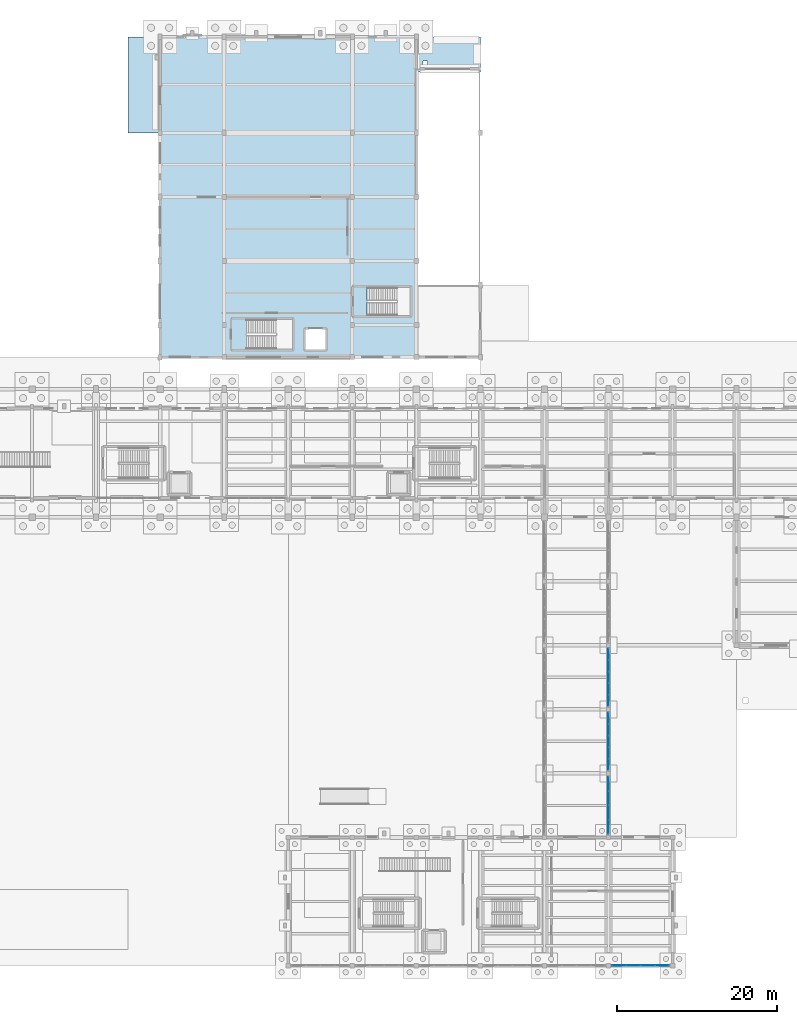
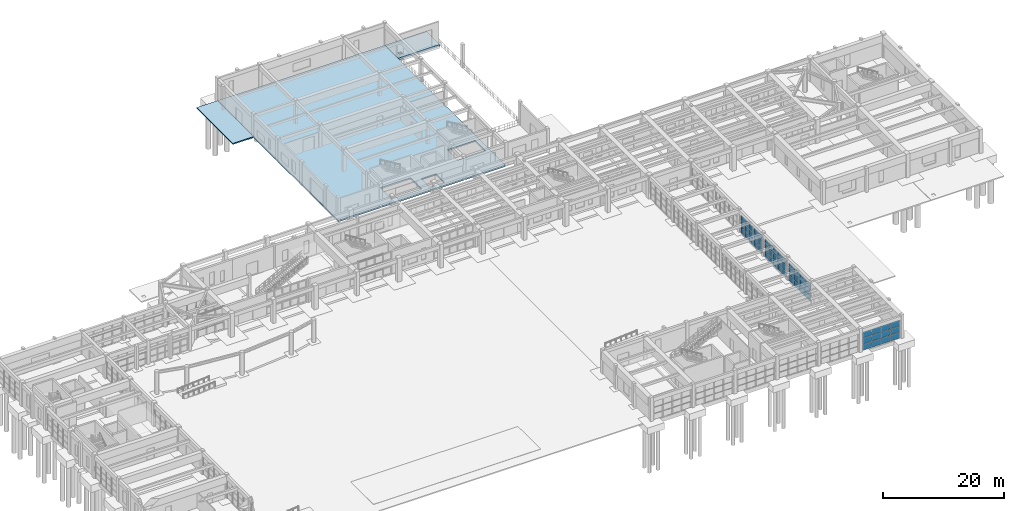
# One storey, part 41 of 68: 54 plates, 3 slabs, 4 elements without a shape of their own.
"""IFC4 building model written with IfcOpenShell, lengths in metres."""

from ifc_helpers import new_model, si_unit, direction, frame, origin, origin_2d, place, context, subcontext, project, spatial, polyline, rectangle, outline, extrude, material, layer, layer_set, type_object, element, aggregate, save


model = new_model("IFC4")

# Units and contexts
model_context = context("Model", 3, precision=1e-05, world=origin(), true_north=direction((0.0, 1.0)))
body_context = subcontext(model_context, "Body", "Model", "MODEL_VIEW")
ifc_project = project(units=[si_unit("LENGTHUNIT", "METRE"), si_unit("AREAUNIT", "SQUARE_METRE"), si_unit("VOLUMEUNIT", "CUBIC_METRE"), si_unit("PLANEANGLEUNIT", "RADIAN"), si_unit("MASSUNIT", "GRAM", prefix="KILO")], contexts=[model_context])

# Site, building, storey
site_placement = place(None, origin())
site = spatial("IfcSite", under=ifc_project, at=site_placement, CompositionType="ELEMENT")
building_placement = place(site_placement, origin())
building = spatial("IfcBuilding", under=site, at=building_placement, Name="Serraluz Foothill Cableway Terminal", CompositionType="ELEMENT")
storey_placement = place(building_placement, origin())
storey = spatial("IfcBuildingStorey", under=building, at=storey_placement, Name="L00", CompositionType="ELEMENT", Elevation=0.0)

# Curtain wall, plates
ifc_material_1 = material(Name="Architectural bronze alloy C28000", Category="aluminium")
curtain_wall_type_1 = type_object("IfcCurtainWallType", Name="TYP-CW-710X420", PredefinedType="NOTDEFINED", material=ifc_material_1)
curtain_wall_1_placement = place(storey_placement, origin())
curtain_wall_1 = element("IfcCurtainWall", 1, at=curtain_wall_1_placement, inside=storey, type_object=curtain_wall_type_1, Name="Ribbed Glazed Curtain Wall CW-CLE-L00-16", PredefinedType="NOTDEFINED")
ifc_material_2 = material(Name="Translucent ribbed laminated channel glass", Category="glass")
ifc_layer_1 = layer(ifc_material_2, 0.028076171875, Name="Translucent ribbed laminated channel glass", Category="glass")
ifc_layer_set_1 = layer_set([ifc_layer_1], Name="Translucent ribbed laminated channel glass")
plate_type_1 = type_object("IfcPlateType", Name="TYP-CW-PNL-28", PredefinedType="CURTAIN_PANEL", material=ifc_layer_set_1)
plate_1_placement = place(storey_placement, frame((128.0, 22.695556640625, 0.06005859375), z_axis=(0.0, 0.0, 1.0), x_axis=(0.0, -1.0, 0.0)))
plate_1 = element("IfcPlate", 2, at=plate_1_placement, type_object=plate_type_1, Name="CW-01 panel 1.1", PredefinedType="CURTAIN_PANEL", context=body_context, shape_type="SweptSolid", body=[
    extrude(rectangle(XDim=1.708740234375, YDim=0.028076171875, at=origin_2d()), origin(), (0.0, 0.0, 1.0), 1.163330078125),
])
plate_2_placement = place(storey_placement, frame((128.0, 22.695556640625, 1.283203125), z_axis=(0.0, 0.0, 1.0), x_axis=(0.0, -1.0, 0.0)))
plate_2 = element("IfcPlate", 3, at=plate_2_placement, type_object=plate_type_1, Name="CW-01 panel 1.2", PredefinedType="CURTAIN_PANEL", context=body_context, shape_type="SweptSolid", body=[
    extrude(rectangle(XDim=1.708740234375, YDim=0.028076171875, at=origin_2d()), origin(), (0.0, 0.0, 1.0), 1.193359375),
])
plate_3_placement = place(storey_placement, frame((128.0, 22.695556640625, 2.53662109375), z_axis=(0.0, 0.0, 1.0), x_axis=(0.0, -1.0, 0.0)))
plate_3 = element("IfcPlate", 4, at=plate_3_placement, type_object=plate_type_1, Name="CW-01 panel 1.3", PredefinedType="CURTAIN_PANEL", context=body_context, shape_type="SweptSolid", body=[
    extrude(rectangle(XDim=1.708740234375, YDim=0.028076171875, at=origin_2d()), origin(), (0.0, 0.0, 1.0), 1.163330078125),
])
plate_4_placement = place(storey_placement, frame((128.0, 20.911865234375, 0.06005859375), z_axis=(0.0, 0.0, 1.0), x_axis=(0.0, -1.0, 0.0)))
plate_4 = element("IfcPlate", 5, at=plate_4_placement, type_object=plate_type_1, Name="CW-01 panel 2.1", PredefinedType="CURTAIN_PANEL", context=body_context, shape_type="SweptSolid", body=[
    extrude(rectangle(XDim=1.73876953125, YDim=0.028076171875, at=origin_2d()), origin(), (0.0, 0.0, 1.0), 1.163330078125),
])
plate_5_placement = place(storey_placement, frame((128.0, 20.911865234375, 1.283203125), z_axis=(0.0, 0.0, 1.0), x_axis=(0.0, -1.0, 0.0)))
plate_5 = element("IfcPlate", 6, at=plate_5_placement, type_object=plate_type_1, Name="CW-01 panel 2.2", PredefinedType="CURTAIN_PANEL", context=body_context, shape_type="SweptSolid", body=[
    extrude(rectangle(XDim=1.73876953125, YDim=0.028076171875, at=origin_2d()), origin(), (0.0, 0.0, 1.0), 1.193359375),
])
plate_6_placement = place(storey_placement, frame((128.0, 20.911865234375, 2.53662109375), z_axis=(0.0, 0.0, 1.0), x_axis=(0.0, -1.0, 0.0)))
plate_6 = element("IfcPlate", 7, at=plate_6_placement, type_object=plate_type_1, Name="CW-01 panel 2.3", PredefinedType="CURTAIN_PANEL", context=body_context, shape_type="SweptSolid", body=[
    extrude(rectangle(XDim=1.73876953125, YDim=0.028076171875, at=origin_2d()), origin(), (0.0, 0.0, 1.0), 1.163330078125),
])
plate_7_placement = place(storey_placement, frame((128.0, 19.113037109375, 0.06005859375), z_axis=(0.0, 0.0, 1.0), x_axis=(0.0, -1.0, 0.0)))
plate_7 = element("IfcPlate", 8, at=plate_7_placement, type_object=plate_type_1, Name="CW-01 panel 3.1", PredefinedType="CURTAIN_PANEL", context=body_context, shape_type="SweptSolid", body=[
    extrude(rectangle(XDim=1.73876953125, YDim=0.028076171875, at=origin_2d()), origin(), (0.0, 0.0, 1.0), 1.163330078125),
])
plate_8_placement = place(storey_placement, frame((128.0, 19.113037109375, 1.283203125), z_axis=(0.0, 0.0, 1.0), x_axis=(0.0, -1.0, 0.0)))
plate_8 = element("IfcPlate", 9, at=plate_8_placement, type_object=plate_type_1, Name="CW-01 panel 3.2", PredefinedType="CURTAIN_PANEL", context=body_context, shape_type="SweptSolid", body=[
    extrude(rectangle(XDim=1.73876953125, YDim=0.028076171875, at=origin_2d()), origin(), (0.0, 0.0, 1.0), 1.193359375),
])
plate_9_placement = place(storey_placement, frame((128.0, 19.113037109375, 2.53662109375), z_axis=(0.0, 0.0, 1.0), x_axis=(0.0, -1.0, 0.0)))
plate_9 = element("IfcPlate", 10, at=plate_9_placement, type_object=plate_type_1, Name="CW-01 panel 3.3", PredefinedType="CURTAIN_PANEL", context=body_context, shape_type="SweptSolid", body=[
    extrude(rectangle(XDim=1.73876953125, YDim=0.028076171875, at=origin_2d()), origin(), (0.0, 0.0, 1.0), 1.163330078125),
])
plate_10_placement = place(storey_placement, frame((128.0, 17.329345703125, 0.06005859375), z_axis=(0.0, 0.0, 1.0), x_axis=(0.0, -1.0, 0.0)))
plate_10 = element("IfcPlate", 11, at=plate_10_placement, type_object=plate_type_1, Name="CW-01 panel 4.1", PredefinedType="CURTAIN_PANEL", context=body_context, shape_type="SweptSolid", body=[
    extrude(rectangle(XDim=1.708740234375, YDim=0.028076171875, at=origin_2d()), origin(), (0.0, 0.0, 1.0), 1.163330078125),
])
plate_11_placement = place(storey_placement, frame((128.0, 17.329345703125, 1.283203125), z_axis=(0.0, 0.0, 1.0), x_axis=(0.0, -1.0, 0.0)))
plate_11 = element("IfcPlate", 12, at=plate_11_placement, type_object=plate_type_1, Name="CW-01 panel 4.2", PredefinedType="CURTAIN_PANEL", context=body_context, shape_type="SweptSolid", body=[
    extrude(rectangle(XDim=1.708740234375, YDim=0.028076171875, at=origin_2d()), origin(), (0.0, 0.0, 1.0), 1.193359375),
])
plate_12_placement = place(storey_placement, frame((128.0, 17.329345703125, 2.53662109375), z_axis=(0.0, 0.0, 1.0), x_axis=(0.0, -1.0, 0.0)))
plate_12 = element("IfcPlate", 13, at=plate_12_placement, type_object=plate_type_1, Name="CW-01 panel 4.3", PredefinedType="CURTAIN_PANEL", context=body_context, shape_type="SweptSolid", body=[
    extrude(rectangle(XDim=1.708740234375, YDim=0.028076171875, at=origin_2d()), origin(), (0.0, 0.0, 1.0), 1.163330078125),
])
aggregate(curtain_wall_1, [plate_1, plate_2, plate_3, plate_4, plate_5, plate_6, plate_7, plate_8, plate_9, plate_10, plate_11, plate_12])

curtain_wall_2_placement = place(storey_placement, origin())
curtain_wall_2 = element("IfcCurtainWall", 14, at=curtain_wall_2_placement, inside=storey, type_object=curtain_wall_type_1, Name="Ribbed Glazed Curtain Wall CW-CLE-L00-24", PredefinedType="NOTDEFINED")
plate_13_placement = place(storey_placement, frame((128.0, 30.873046875, 0.06005859375), z_axis=(0.0, 0.0, 1.0), x_axis=(0.0, -1.0, 0.0)))
plate_13 = element("IfcPlate", 15, at=plate_13_placement, type_object=plate_type_1, Name="CW-01 panel 1.1", PredefinedType="CURTAIN_PANEL", context=body_context, shape_type="SweptSolid", body=[
    extrude(rectangle(XDim=1.35400390625, YDim=0.028076171875, at=origin_2d()), origin(), (0.0, 0.0, 1.0), 1.163330078125),
])
plate_14_placement = place(storey_placement, frame((128.0, 30.873046875, 1.283203125), z_axis=(0.0, 0.0, 1.0), x_axis=(0.0, -1.0, 0.0)))
plate_14 = element("IfcPlate", 16, at=plate_14_placement, type_object=plate_type_1, Name="CW-01 panel 1.2", PredefinedType="CURTAIN_PANEL", context=body_context, shape_type="SweptSolid", body=[
    extrude(rectangle(XDim=1.35400390625, YDim=0.028076171875, at=origin_2d()), origin(), (0.0, 0.0, 1.0), 1.193359375),
])
plate_15_placement = place(storey_placement, frame((128.0, 30.873046875, 2.53662109375), z_axis=(0.0, 0.0, 1.0), x_axis=(0.0, -1.0, 0.0)))
plate_15 = element("IfcPlate", 17, at=plate_15_placement, type_object=plate_type_1, Name="CW-01 panel 1.3", PredefinedType="CURTAIN_PANEL", context=body_context, shape_type="SweptSolid", body=[
    extrude(rectangle(XDim=1.35400390625, YDim=0.028076171875, at=origin_2d()), origin(), (0.0, 0.0, 1.0), 1.163330078125),
])
plate_16_placement = place(storey_placement, frame((128.0, 29.444091796875, 0.06005859375), z_axis=(0.0, 0.0, 1.0), x_axis=(0.0, -1.0, 0.0)))
plate_16 = element("IfcPlate", 18, at=plate_16_placement, type_object=plate_type_1, Name="CW-01 panel 2.1", PredefinedType="CURTAIN_PANEL", context=body_context, shape_type="SweptSolid", body=[
    extrude(rectangle(XDim=1.384033203125, YDim=0.028076171875, at=origin_2d()), origin(), (0.0, 0.0, 1.0), 1.163330078125),
])
plate_17_placement = place(storey_placement, frame((128.0, 29.444091796875, 1.283203125), z_axis=(0.0, 0.0, 1.0), x_axis=(0.0, -1.0, 0.0)))
plate_17 = element("IfcPlate", 19, at=plate_17_placement, type_object=plate_type_1, Name="CW-01 panel 2.2", PredefinedType="CURTAIN_PANEL", context=body_context, shape_type="SweptSolid", body=[
    extrude(rectangle(XDim=1.384033203125, YDim=0.028076171875, at=origin_2d()), origin(), (0.0, 0.0, 1.0), 1.193359375),
])
plate_18_placement = place(storey_placement, frame((128.0, 29.444091796875, 2.53662109375), z_axis=(0.0, 0.0, 1.0), x_axis=(0.0, -1.0, 0.0)))
plate_18 = element("IfcPlate", 20, at=plate_18_placement, type_object=plate_type_1, Name="CW-01 panel 2.3", PredefinedType="CURTAIN_PANEL", context=body_context, shape_type="SweptSolid", body=[
    extrude(rectangle(XDim=1.384033203125, YDim=0.028076171875, at=origin_2d()), origin(), (0.0, 0.0, 1.0), 1.163330078125),
])
plate_19_placement = place(storey_placement, frame((128.0, 28.0, 0.06005859375), z_axis=(0.0, 0.0, 1.0), x_axis=(0.0, -1.0, 0.0)))
plate_19 = element("IfcPlate", 21, at=plate_19_placement, type_object=plate_type_1, Name="CW-01 panel 3.1", PredefinedType="CURTAIN_PANEL", context=body_context, shape_type="SweptSolid", body=[
    extrude(rectangle(XDim=1.384033203125, YDim=0.028076171875, at=origin_2d()), origin(), (0.0, 0.0, 1.0), 1.163330078125),
])
plate_20_placement = place(storey_placement, frame((128.0, 28.0, 1.283203125), z_axis=(0.0, 0.0, 1.0), x_axis=(0.0, -1.0, 0.0)))
plate_20 = element("IfcPlate", 22, at=plate_20_placement, type_object=plate_type_1, Name="CW-01 panel 3.2", PredefinedType="CURTAIN_PANEL", context=body_context, shape_type="SweptSolid", body=[
    extrude(rectangle(XDim=1.384033203125, YDim=0.028076171875, at=origin_2d()), origin(), (0.0, 0.0, 1.0), 1.193359375),
])
plate_21_placement = place(storey_placement, frame((128.0, 28.0, 2.53662109375), z_axis=(0.0, 0.0, 1.0), x_axis=(0.0, -1.0, 0.0)))
plate_21 = element("IfcPlate", 23, at=plate_21_placement, type_object=plate_type_1, Name="CW-01 panel 3.3", PredefinedType="CURTAIN_PANEL", context=body_context, shape_type="SweptSolid", body=[
    extrude(rectangle(XDim=1.384033203125, YDim=0.028076171875, at=origin_2d()), origin(), (0.0, 0.0, 1.0), 1.163330078125),
])
plate_22_placement = place(storey_placement, frame((128.0, 26.555908203125, 0.06005859375), z_axis=(0.0, 0.0, 1.0), x_axis=(0.0, -1.0, 0.0)))
plate_22 = element("IfcPlate", 24, at=plate_22_placement, type_object=plate_type_1, Name="CW-01 panel 4.1", PredefinedType="CURTAIN_PANEL", context=body_context, shape_type="SweptSolid", body=[
    extrude(rectangle(XDim=1.384033203125, YDim=0.028076171875, at=origin_2d()), origin(), (0.0, 0.0, 1.0), 1.163330078125),
])
plate_23_placement = place(storey_placement, frame((128.0, 26.555908203125, 1.283203125), z_axis=(0.0, 0.0, 1.0), x_axis=(0.0, -1.0, 0.0)))
plate_23 = element("IfcPlate", 25, at=plate_23_placement, type_object=plate_type_1, Name="CW-01 panel 4.2", PredefinedType="CURTAIN_PANEL", context=body_context, shape_type="SweptSolid", body=[
    extrude(rectangle(XDim=1.384033203125, YDim=0.028076171875, at=origin_2d()), origin(), (0.0, 0.0, 1.0), 1.193359375),
])
plate_24_placement = place(storey_placement, frame((128.0, 26.555908203125, 2.53662109375), z_axis=(0.0, 0.0, 1.0), x_axis=(0.0, -1.0, 0.0)))
plate_24 = element("IfcPlate", 26, at=plate_24_placement, type_object=plate_type_1, Name="CW-01 panel 4.3", PredefinedType="CURTAIN_PANEL", context=body_context, shape_type="SweptSolid", body=[
    extrude(rectangle(XDim=1.384033203125, YDim=0.028076171875, at=origin_2d()), origin(), (0.0, 0.0, 1.0), 1.163330078125),
])
plate_25_placement = place(storey_placement, frame((128.0, 25.126953125, 0.06005859375), z_axis=(0.0, 0.0, 1.0), x_axis=(0.0, -1.0, 0.0)))
plate_25 = element("IfcPlate", 27, at=plate_25_placement, type_object=plate_type_1, Name="CW-01 panel 5.1", PredefinedType="CURTAIN_PANEL", context=body_context, shape_type="SweptSolid", body=[
    extrude(rectangle(XDim=1.35400390625, YDim=0.028076171875, at=origin_2d()), origin(), (0.0, 0.0, 1.0), 1.163330078125),
])
plate_26_placement = place(storey_placement, frame((128.0, 25.126953125, 1.283203125), z_axis=(0.0, 0.0, 1.0), x_axis=(0.0, -1.0, 0.0)))
plate_26 = element("IfcPlate", 28, at=plate_26_placement, type_object=plate_type_1, Name="CW-01 panel 5.2", PredefinedType="CURTAIN_PANEL", context=body_context, shape_type="SweptSolid", body=[
    extrude(rectangle(XDim=1.35400390625, YDim=0.028076171875, at=origin_2d()), origin(), (0.0, 0.0, 1.0), 1.193359375),
])
plate_27_placement = place(storey_placement, frame((128.0, 25.126953125, 2.53662109375), z_axis=(0.0, 0.0, 1.0), x_axis=(0.0, -1.0, 0.0)))
plate_27 = element("IfcPlate", 29, at=plate_27_placement, type_object=plate_type_1, Name="CW-01 panel 5.3", PredefinedType="CURTAIN_PANEL", context=body_context, shape_type="SweptSolid", body=[
    extrude(rectangle(XDim=1.35400390625, YDim=0.028076171875, at=origin_2d()), origin(), (0.0, 0.0, 1.0), 1.163330078125),
])
aggregate(curtain_wall_2, [plate_13, plate_14, plate_15, plate_16, plate_17, plate_18, plate_19, plate_20, plate_21, plate_22, plate_23, plate_24, plate_25, plate_26, plate_27])

curtain_wall_3_placement = place(storey_placement, origin())
curtain_wall_3 = element("IfcCurtainWall", 30, at=curtain_wall_3_placement, inside=storey, type_object=curtain_wall_type_1, Name="Ribbed Glazed Curtain Wall CW-CLE-L00-32", PredefinedType="NOTDEFINED")
plate_28_placement = place(storey_placement, frame((128.0, 38.873046875, 0.06005859375), z_axis=(0.0, 0.0, 1.0), x_axis=(0.0, -1.0, 0.0)))
plate_28 = element("IfcPlate", 31, at=plate_28_placement, type_object=plate_type_1, Name="CW-01 panel 1.1", PredefinedType="CURTAIN_PANEL", context=body_context, shape_type="SweptSolid", body=[
    extrude(rectangle(XDim=1.35400390625, YDim=0.028076171875, at=origin_2d()), origin(), (0.0, 0.0, 1.0), 1.163330078125),
])
plate_29_placement = place(storey_placement, frame((128.0, 38.873046875, 1.283203125), z_axis=(0.0, 0.0, 1.0), x_axis=(0.0, -1.0, 0.0)))
plate_29 = element("IfcPlate", 32, at=plate_29_placement, type_object=plate_type_1, Name="CW-01 panel 1.2", PredefinedType="CURTAIN_PANEL", context=body_context, shape_type="SweptSolid", body=[
    extrude(rectangle(XDim=1.35400390625, YDim=0.028076171875, at=origin_2d()), origin(), (0.0, 0.0, 1.0), 1.193359375),
])
plate_30_placement = place(storey_placement, frame((128.0, 38.873046875, 2.53662109375), z_axis=(0.0, 0.0, 1.0), x_axis=(0.0, -1.0, 0.0)))
plate_30 = element("IfcPlate", 33, at=plate_30_placement, type_object=plate_type_1, Name="CW-01 panel 1.3", PredefinedType="CURTAIN_PANEL", context=body_context, shape_type="SweptSolid", body=[
    extrude(rectangle(XDim=1.35400390625, YDim=0.028076171875, at=origin_2d()), origin(), (0.0, 0.0, 1.0), 1.163330078125),
])
plate_31_placement = place(storey_placement, frame((128.0, 37.444091796875, 0.06005859375), z_axis=(0.0, 0.0, 1.0), x_axis=(0.0, -1.0, 0.0)))
plate_31 = element("IfcPlate", 34, at=plate_31_placement, type_object=plate_type_1, Name="CW-01 panel 2.1", PredefinedType="CURTAIN_PANEL", context=body_context, shape_type="SweptSolid", body=[
    extrude(rectangle(XDim=1.384033203125, YDim=0.028076171875, at=origin_2d()), origin(), (0.0, 0.0, 1.0), 1.163330078125),
])
plate_32_placement = place(storey_placement, frame((128.0, 37.444091796875, 1.283203125), z_axis=(0.0, 0.0, 1.0), x_axis=(0.0, -1.0, 0.0)))
plate_32 = element("IfcPlate", 35, at=plate_32_placement, type_object=plate_type_1, Name="CW-01 panel 2.2", PredefinedType="CURTAIN_PANEL", context=body_context, shape_type="SweptSolid", body=[
    extrude(rectangle(XDim=1.384033203125, YDim=0.028076171875, at=origin_2d()), origin(), (0.0, 0.0, 1.0), 1.193359375),
])
plate_33_placement = place(storey_placement, frame((128.0, 37.444091796875, 2.53662109375), z_axis=(0.0, 0.0, 1.0), x_axis=(0.0, -1.0, 0.0)))
plate_33 = element("IfcPlate", 36, at=plate_33_placement, type_object=plate_type_1, Name="CW-01 panel 2.3", PredefinedType="CURTAIN_PANEL", context=body_context, shape_type="SweptSolid", body=[
    extrude(rectangle(XDim=1.384033203125, YDim=0.028076171875, at=origin_2d()), origin(), (0.0, 0.0, 1.0), 1.163330078125),
])
plate_34_placement = place(storey_placement, frame((128.0, 36.0, 0.06005859375), z_axis=(0.0, 0.0, 1.0), x_axis=(0.0, -1.0, 0.0)))
plate_34 = element("IfcPlate", 37, at=plate_34_placement, type_object=plate_type_1, Name="CW-01 panel 3.1", PredefinedType="CURTAIN_PANEL", context=body_context, shape_type="SweptSolid", body=[
    extrude(rectangle(XDim=1.384033203125, YDim=0.028076171875, at=origin_2d()), origin(), (0.0, 0.0, 1.0), 1.163330078125),
])
plate_35_placement = place(storey_placement, frame((128.0, 36.0, 1.283203125), z_axis=(0.0, 0.0, 1.0), x_axis=(0.0, -1.0, 0.0)))
plate_35 = element("IfcPlate", 38, at=plate_35_placement, type_object=plate_type_1, Name="CW-01 panel 3.2", PredefinedType="CURTAIN_PANEL", context=body_context, shape_type="SweptSolid", body=[
    extrude(rectangle(XDim=1.384033203125, YDim=0.028076171875, at=origin_2d()), origin(), (0.0, 0.0, 1.0), 1.193359375),
])
plate_36_placement = place(storey_placement, frame((128.0, 36.0, 2.53662109375), z_axis=(0.0, 0.0, 1.0), x_axis=(0.0, -1.0, 0.0)))
plate_36 = element("IfcPlate", 39, at=plate_36_placement, type_object=plate_type_1, Name="CW-01 panel 3.3", PredefinedType="CURTAIN_PANEL", context=body_context, shape_type="SweptSolid", body=[
    extrude(rectangle(XDim=1.384033203125, YDim=0.028076171875, at=origin_2d()), origin(), (0.0, 0.0, 1.0), 1.163330078125),
])
plate_37_placement = place(storey_placement, frame((128.0, 34.555908203125, 0.06005859375), z_axis=(0.0, 0.0, 1.0), x_axis=(0.0, -1.0, 0.0)))
plate_37 = element("IfcPlate", 40, at=plate_37_placement, type_object=plate_type_1, Name="CW-01 panel 4.1", PredefinedType="CURTAIN_PANEL", context=body_context, shape_type="SweptSolid", body=[
    extrude(rectangle(XDim=1.384033203125, YDim=0.028076171875, at=origin_2d()), origin(), (0.0, 0.0, 1.0), 1.163330078125),
])
plate_38_placement = place(storey_placement, frame((128.0, 34.555908203125, 1.283203125), z_axis=(0.0, 0.0, 1.0), x_axis=(0.0, -1.0, 0.0)))
plate_38 = element("IfcPlate", 41, at=plate_38_placement, type_object=plate_type_1, Name="CW-01 panel 4.2", PredefinedType="CURTAIN_PANEL", context=body_context, shape_type="SweptSolid", body=[
    extrude(rectangle(XDim=1.384033203125, YDim=0.028076171875, at=origin_2d()), origin(), (0.0, 0.0, 1.0), 1.193359375),
])
plate_39_placement = place(storey_placement, frame((128.0, 34.555908203125, 2.53662109375), z_axis=(0.0, 0.0, 1.0), x_axis=(0.0, -1.0, 0.0)))
plate_39 = element("IfcPlate", 42, at=plate_39_placement, type_object=plate_type_1, Name="CW-01 panel 4.3", PredefinedType="CURTAIN_PANEL", context=body_context, shape_type="SweptSolid", body=[
    extrude(rectangle(XDim=1.384033203125, YDim=0.028076171875, at=origin_2d()), origin(), (0.0, 0.0, 1.0), 1.163330078125),
])
plate_40_placement = place(storey_placement, frame((128.0, 33.126953125, 0.06005859375), z_axis=(0.0, 0.0, 1.0), x_axis=(0.0, -1.0, 0.0)))
plate_40 = element("IfcPlate", 43, at=plate_40_placement, type_object=plate_type_1, Name="CW-01 panel 5.1", PredefinedType="CURTAIN_PANEL", context=body_context, shape_type="SweptSolid", body=[
    extrude(rectangle(XDim=1.35400390625, YDim=0.028076171875, at=origin_2d()), origin(), (0.0, 0.0, 1.0), 1.163330078125),
])
plate_41_placement = place(storey_placement, frame((128.0, 33.126953125, 1.283203125), z_axis=(0.0, 0.0, 1.0), x_axis=(0.0, -1.0, 0.0)))
plate_41 = element("IfcPlate", 44, at=plate_41_placement, type_object=plate_type_1, Name="CW-01 panel 5.2", PredefinedType="CURTAIN_PANEL", context=body_context, shape_type="SweptSolid", body=[
    extrude(rectangle(XDim=1.35400390625, YDim=0.028076171875, at=origin_2d()), origin(), (0.0, 0.0, 1.0), 1.193359375),
])
plate_42_placement = place(storey_placement, frame((128.0, 33.126953125, 2.53662109375), z_axis=(0.0, 0.0, 1.0), x_axis=(0.0, -1.0, 0.0)))
plate_42 = element("IfcPlate", 45, at=plate_42_placement, type_object=plate_type_1, Name="CW-01 panel 5.3", PredefinedType="CURTAIN_PANEL", context=body_context, shape_type="SweptSolid", body=[
    extrude(rectangle(XDim=1.35400390625, YDim=0.028076171875, at=origin_2d()), origin(), (0.0, 0.0, 1.0), 1.163330078125),
])
aggregate(curtain_wall_3, [plate_28, plate_29, plate_30, plate_31, plate_32, plate_33, plate_34, plate_35, plate_36, plate_37, plate_38, plate_39, plate_40, plate_41, plate_42])

curtain_wall_type_2 = type_object("IfcCurtainWallType", Name="TYP-CW-380X420", PredefinedType="NOTDEFINED", material=ifc_material_1)
curtain_wall_4_placement = place(storey_placement, origin())
curtain_wall_4 = element("IfcCurtainWall", 46, at=curtain_wall_4_placement, inside=storey, type_object=curtain_wall_type_2, Name="Ribbed Glazed Curtain Wall CW-V3S-L00-128", PredefinedType="NOTDEFINED")
ifc_material_3 = material(Name="Laminated low-E safety glass", Category="glass")
ifc_layer_2 = layer(ifc_material_3, 0.031982421875, Name="Laminated low-E safety glass", Category="glass")
ifc_layer_set_2 = layer_set([ifc_layer_2], Name="Laminated low-E safety glass")
plate_type_2 = type_object("IfcPlateType", Name="TYP-CW-PNL-32", PredefinedType="CURTAIN_PANEL", material=ifc_layer_set_2)
plate_43_placement = place(storey_placement, frame((134.673828125, 0.0, 0.06005859375), z_axis=(0.0, 0.0, 1.0), x_axis=(-1.0, 0.0, 0.0)))
plate_43 = element("IfcPlate", 47, at=plate_43_placement, type_object=plate_type_2, Name="CW-17 panel 1.1", PredefinedType="CURTAIN_PANEL", context=body_context, shape_type="SweptSolid", body=[
    extrude(rectangle(XDim=1.702392578125, YDim=0.031982421875, at=origin_2d()), origin(), (0.0, 0.0, 1.0), 1.17333984375),
])
plate_44_placement = place(storey_placement, frame((134.673828125, 0.0, 1.29345703125), z_axis=(0.0, 0.0, 1.0), x_axis=(-1.0, 0.0, 0.0)))
plate_44 = element("IfcPlate", 48, at=plate_44_placement, type_object=plate_type_2, Name="CW-17 panel 1.2", PredefinedType="CURTAIN_PANEL", context=body_context, shape_type="SweptSolid", body=[
    extrude(rectangle(XDim=1.702392578125, YDim=0.031982421875, at=origin_2d()), origin(), (0.0, 0.0, 1.0), 1.203369140625),
])
plate_45_placement = place(storey_placement, frame((134.673828125, 0.0, 2.556640625), z_axis=(0.0, 0.0, 1.0), x_axis=(-1.0, 0.0, 0.0)))
plate_45 = element("IfcPlate", 49, at=plate_45_placement, type_object=plate_type_2, Name="CW-17 panel 1.3", PredefinedType="CURTAIN_PANEL", context=body_context, shape_type="SweptSolid", body=[
    extrude(rectangle(XDim=1.702392578125, YDim=0.031982421875, at=origin_2d()), origin(), (0.0, 0.0, 1.0), 1.17333984375),
])
plate_46_placement = place(storey_placement, frame((132.896240234375, 0.0, 0.06005859375), z_axis=(0.0, 0.0, 1.0), x_axis=(-1.0, 0.0, 0.0)))
plate_46 = element("IfcPlate", 50, at=plate_46_placement, type_object=plate_type_2, Name="CW-17 panel 2.1", PredefinedType="CURTAIN_PANEL", context=body_context, shape_type="SweptSolid", body=[
    extrude(rectangle(XDim=1.732421875, YDim=0.031982421875, at=origin_2d()), origin(), (0.0, 0.0, 1.0), 1.17333984375),
])
plate_47_placement = place(storey_placement, frame((132.896240234375, 0.0, 1.29345703125), z_axis=(0.0, 0.0, 1.0), x_axis=(-1.0, 0.0, 0.0)))
plate_47 = element("IfcPlate", 51, at=plate_47_placement, type_object=plate_type_2, Name="CW-17 panel 2.2", PredefinedType="CURTAIN_PANEL", context=body_context, shape_type="SweptSolid", body=[
    extrude(rectangle(XDim=1.732421875, YDim=0.031982421875, at=origin_2d()), origin(), (0.0, 0.0, 1.0), 1.203369140625),
])
plate_48_placement = place(storey_placement, frame((132.896240234375, 0.0, 2.556640625), z_axis=(0.0, 0.0, 1.0), x_axis=(-1.0, 0.0, 0.0)))
plate_48 = element("IfcPlate", 52, at=plate_48_placement, type_object=plate_type_2, Name="CW-17 panel 2.3", PredefinedType="CURTAIN_PANEL", context=body_context, shape_type="SweptSolid", body=[
    extrude(rectangle(XDim=1.732421875, YDim=0.031982421875, at=origin_2d()), origin(), (0.0, 0.0, 1.0), 1.17333984375),
])
plate_49_placement = place(storey_placement, frame((131.103759765625, 0.0, 0.06005859375), z_axis=(0.0, 0.0, 1.0), x_axis=(-1.0, 0.0, 0.0)))
plate_49 = element("IfcPlate", 53, at=plate_49_placement, type_object=plate_type_2, Name="CW-17 panel 3.1", PredefinedType="CURTAIN_PANEL", context=body_context, shape_type="SweptSolid", body=[
    extrude(rectangle(XDim=1.732421875, YDim=0.031982421875, at=origin_2d()), origin(), (0.0, 0.0, 1.0), 1.17333984375),
])
plate_50_placement = place(storey_placement, frame((131.103759765625, 0.0, 1.29345703125), z_axis=(0.0, 0.0, 1.0), x_axis=(-1.0, 0.0, 0.0)))
plate_50 = element("IfcPlate", 54, at=plate_50_placement, type_object=plate_type_2, Name="CW-17 panel 3.2", PredefinedType="CURTAIN_PANEL", context=body_context, shape_type="SweptSolid", body=[
    extrude(rectangle(XDim=1.732421875, YDim=0.031982421875, at=origin_2d()), origin(), (0.0, 0.0, 1.0), 1.203369140625),
])
plate_51_placement = place(storey_placement, frame((131.103759765625, 0.0, 2.556640625), z_axis=(0.0, 0.0, 1.0), x_axis=(-1.0, 0.0, 0.0)))
plate_51 = element("IfcPlate", 55, at=plate_51_placement, type_object=plate_type_2, Name="CW-17 panel 3.3", PredefinedType="CURTAIN_PANEL", context=body_context, shape_type="SweptSolid", body=[
    extrude(rectangle(XDim=1.732421875, YDim=0.031982421875, at=origin_2d()), origin(), (0.0, 0.0, 1.0), 1.17333984375),
])
plate_52_placement = place(storey_placement, frame((129.326171875, 0.0, 0.06005859375), z_axis=(0.0, 0.0, 1.0), x_axis=(-1.0, 0.0, 0.0)))
plate_52 = element("IfcPlate", 56, at=plate_52_placement, type_object=plate_type_2, Name="CW-17 panel 4.1", PredefinedType="CURTAIN_PANEL", context=body_context, shape_type="SweptSolid", body=[
    extrude(rectangle(XDim=1.702392578125, YDim=0.031982421875, at=origin_2d()), origin(), (0.0, 0.0, 1.0), 1.17333984375),
])
plate_53_placement = place(storey_placement, frame((129.326171875, 0.0, 1.29345703125), z_axis=(0.0, 0.0, 1.0), x_axis=(-1.0, 0.0, 0.0)))
plate_53 = element("IfcPlate", 57, at=plate_53_placement, type_object=plate_type_2, Name="CW-17 panel 4.2", PredefinedType="CURTAIN_PANEL", context=body_context, shape_type="SweptSolid", body=[
    extrude(rectangle(XDim=1.702392578125, YDim=0.031982421875, at=origin_2d()), origin(), (0.0, 0.0, 1.0), 1.203369140625),
])
plate_54_placement = place(storey_placement, frame((129.326171875, 0.0, 2.556640625), z_axis=(0.0, 0.0, 1.0), x_axis=(-1.0, 0.0, 0.0)))
plate_54 = element("IfcPlate", 58, at=plate_54_placement, type_object=plate_type_2, Name="CW-17 panel 4.3", PredefinedType="CURTAIN_PANEL", context=body_context, shape_type="SweptSolid", body=[
    extrude(rectangle(XDim=1.702392578125, YDim=0.031982421875, at=origin_2d()), origin(), (0.0, 0.0, 1.0), 1.17333984375),
])
aggregate(curtain_wall_4, [plate_43, plate_44, plate_45, plate_46, plate_47, plate_48, plate_49, plate_50, plate_51, plate_52, plate_53, plate_54])

# Slabs
ifc_material_4 = material(Name="Concrete C28/35 (f'c 28 MPa)", Category="concrete")
ifc_layer_3 = layer(ifc_material_4, 0.219970703125, Name="Concrete C28/35 (f'c 28 MPa)", Category="concrete")
ifc_layer_set_3 = layer_set([ifc_layer_3], Name="Concrete C28/35 (f'c 28 MPa)")
slab_type_1 = type_object("IfcSlabType", Name="TYP-SLB-EXT-220", PredefinedType="BASESLAB", material=ifc_layer_set_3)
slab_1_placement = place(storey_placement, frame((0.0, 0.0, -0.219970703125)))
element("IfcSlab", 59, at=slab_1_placement, inside=storey, type_object=slab_type_1, Name="Exterior Terrace or Apron Slab EXT-L00-V4W", PredefinedType="BASESLAB", context=body_context, shape_type="SweptSolid", body=[
    extrude(outline(polyline([(68.0, 104.0), (72.0, 104.0), (72.0, 116.0), (68.0, 116.0), (68.0, 104.0)])), origin(), (0.0, 0.0, 1.0), 0.219970703125),
])
ifc_material_5 = material(Name="Concrete C35/45 (f'c 35 MPa)", Category="concrete")
ifc_layer_4 = layer(ifc_material_5, 0.39990234375, Name="Concrete C35/45 (f'c 35 MPa)", Category="concrete")
ifc_layer_set_4 = layer_set([ifc_layer_4], Name="Concrete C35/45 (f'c 35 MPa)")
slab_type_2 = type_object("IfcSlabType", Name="TYP-SLB-EXT-400", PredefinedType="BASESLAB", material=ifc_layer_set_4)
slab_2_placement = place(storey_placement, frame((0.0, 0.0, -0.39990234375)))
element("IfcSlab", 60, at=slab_2_placement, inside=storey, type_object=slab_type_2, Name="Exterior Terrace or Apron Slab EXT-L00-RAMP-APRON", PredefinedType="BASESLAB", context=body_context, shape_type="SweptSolid", body=[
    extrude(outline(polyline([(104.0, 111.60009765625), (112.0, 111.60009765625), (112.0, 116.0), (104.0, 116.0), (104.0, 111.60009765625)]), holes=[polyline([(104.800048828125, 112.39990234375), (105.39990234375, 112.39990234375), (105.39990234375, 113.0), (104.800048828125, 113.0), (104.800048828125, 112.39990234375)])]), origin(), (0.0, 0.0, 1.0), 0.39990234375),
])
ifc_layer_5 = layer(ifc_material_5, 0.300048828125, Name="Concrete C35/45 (f'c 35 MPa)", Category="concrete")
ifc_layer_set_5 = layer_set([ifc_layer_5], Name="Concrete C35/45 (f'c 35 MPa)")
slab_type_3 = type_object("IfcSlabType", Name="TYP-SLB-FLR-300", PredefinedType="FLOOR", material=ifc_layer_set_5)
slab_3_placement = place(storey_placement, frame((0.0, 0.0, -0.300048828125)))
element("IfcSlab", 61, at=slab_3_placement, inside=storey, type_object=slab_type_3, Name="Structural Slab SLB-L00-V4A", PredefinedType="FLOOR", context=body_context, shape_type="SweptSolid", body=[
    extrude(outline(polyline([(72.0, 76.0), (104.0, 76.0), (104.0, 116.0), (72.0, 116.0), (72.0, 76.0)]), holes=[polyline([(82.760009765625, 77.0), (88.510009765625, 77.0), (88.510009765625, 80.679931640625), (82.760009765625, 80.679931640625), (82.760009765625, 77.0)]), polyline([(97.860107421875, 81.199951171875), (103.22509765625, 81.199951171875), (103.22509765625, 84.679931640625), (97.860107421875, 84.679931640625), (97.860107421875, 81.199951171875)]), polyline([(90.0, 76.800048828125), (92.800048828125, 76.800048828125), (92.800048828125, 79.60009765625), (90.0, 79.60009765625), (90.0, 76.800048828125)])]), origin(), (0.0, 0.0, 1.0), 0.300048828125),
])

save(model, "model.ifc")
